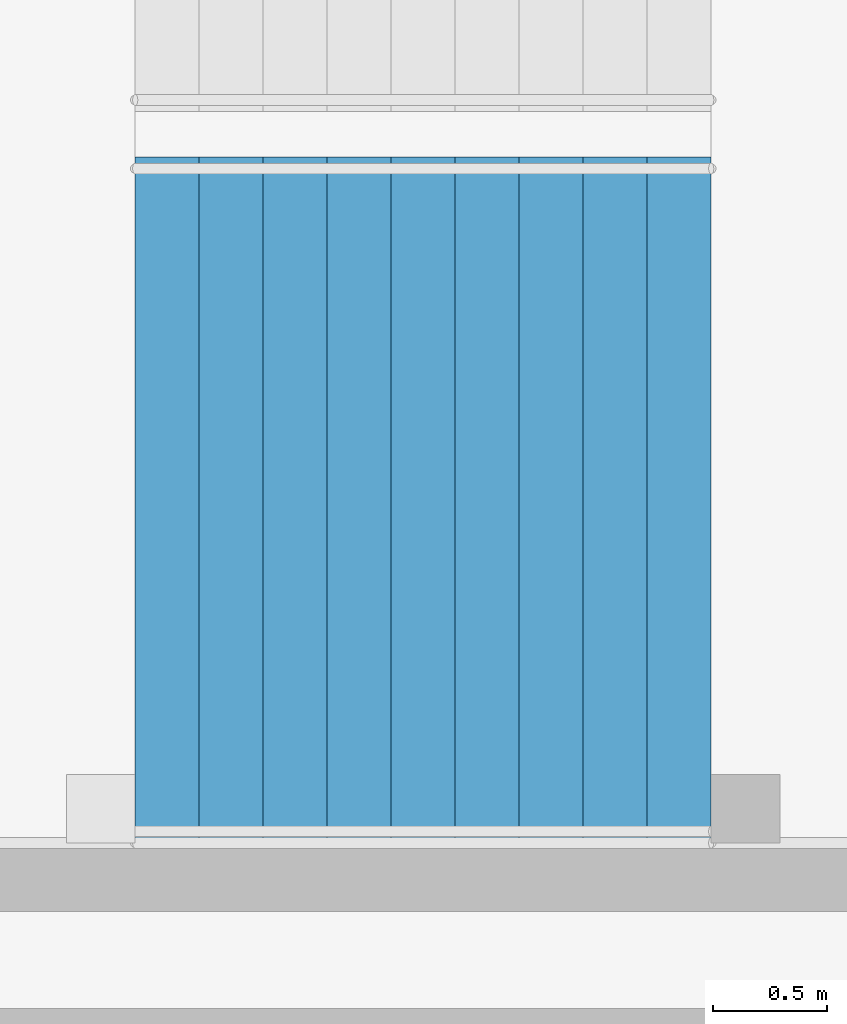
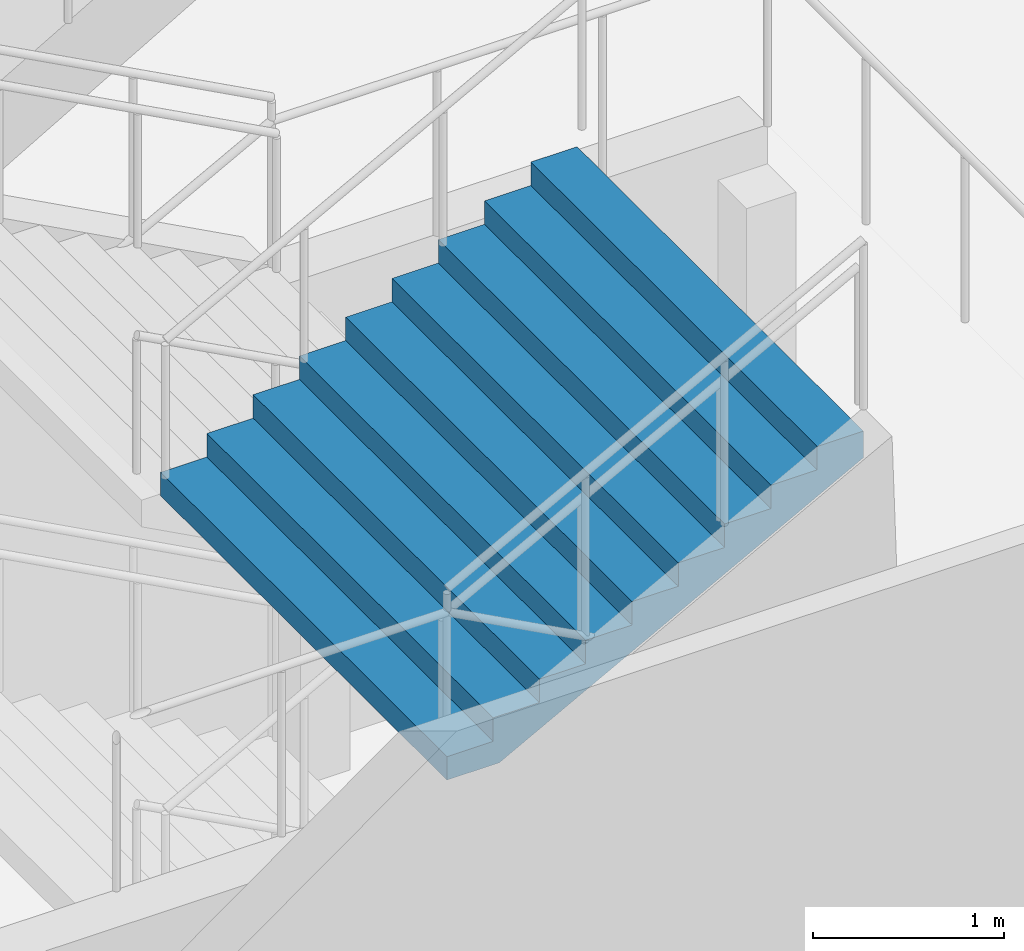
# One storey, part 81 of 100: 1 stair flight, 1 element without a shape of its own.
"""IFC4 building model written with IfcOpenShell, lengths in metres."""

from ifc_helpers import new_model, si_unit, direction, frame, origin, place, context, subcontext, project, spatial, triangles, material, type_object, element, aggregate, save


model = new_model("IFC4")

# Units and contexts
model_context = context("Model", 3, precision=1e-05, world=origin(), true_north=direction((0.0, 1.0)))
body_context = subcontext(model_context, "Body", "Model", "MODEL_VIEW")
ifc_project = project(units=[si_unit("LENGTHUNIT", "METRE"), si_unit("AREAUNIT", "SQUARE_METRE"), si_unit("VOLUMEUNIT", "CUBIC_METRE"), si_unit("PLANEANGLEUNIT", "RADIAN"), si_unit("MASSUNIT", "GRAM", prefix="KILO")], contexts=[model_context])

# Site, building, storey
site_placement = place(None, origin())
site = spatial("IfcSite", under=ifc_project, at=site_placement, CompositionType="ELEMENT")
building_placement = place(site_placement, origin())
building = spatial("IfcBuilding", under=site, at=building_placement, Name="Hakoniwa Tower and Hamabe Station Hall", CompositionType="ELEMENT")
storey_placement = place(building_placement, frame((0.0, 0.0, 9.0)))
storey = spatial("IfcBuildingStorey", under=building, at=storey_placement, Name="L02", CompositionType="ELEMENT", Elevation=9.0)

# Stair, stair flight
ifc_material_1 = material(Name="Concrete C40", Category="concrete")
stair_type = type_object("IfcStairType", Name="STAIR 3000 10X150", PredefinedType="HALF_TURN_STAIR", material=ifc_material_1)
stair_placement = place(storey_placement, origin())
stair = element("IfcStair", 1, at=stair_placement, inside=storey, type_object=stair_type, Name="Platform stair 1 L02-L03", PredefinedType="HALF_TURN_STAIR")
ifc_material_2 = material(Name="Concrete C40", Category="concrete")
stair_flight_type = type_object("IfcStairFlightType", Name="STAIR FLIGHT 3000", PredefinedType="STRAIGHT", material=ifc_material_2)
stair_flight_placement = place(storey_placement, frame((148.550048828125, -5.5, 4.5), z_axis=(0.0, 0.0, 1.0), x_axis=(1.0, 0.0, 0.0)))
stair_flight = element("IfcStairFlight", 2, at=stair_flight_placement, type_object=stair_flight_type, Name="PA1 flight 4", NumberOfRisers=10, NumberOfTreads=9, PredefinedType="STRAIGHT", RiserHeight=0.15, TreadLength=0.28, context=body_context, shape_type="Tessellation", body=[
    triangles([(0.0, 1.5, 0.0), (0.280029296875, 1.5, 0.0), (0.3173828125, 1.5, 0.0), (0.56005859375, 1.5, 0.1298828125), (0.840087890625, 1.5, 0.280029296875), (1.1201171875, 1.5, 0.429931640625), (1.39990234375, 1.5, 0.579833984375), (1.679931640625, 1.5, 0.72998046875), (1.9599609375, 1.5, 0.8798828125), (2.239990234375, 1.5, 1.030029296875), (2.52001953125, 1.5, 1.179931640625), (2.52001953125, 1.5, 1.35009765625), (2.239990234375, 1.5, 1.35009765625), (2.239990234375, 1.5, 1.199951171875), (1.9599609375, 1.5, 1.199951171875), (1.9599609375, 1.5, 1.050048828125), (1.679931640625, 1.5, 1.050048828125), (1.679931640625, 1.5, 0.89990234375), (1.39990234375, 1.5, 0.89990234375), (1.39990234375, 1.5, 0.75), (1.1201171875, 1.5, 0.75), (1.1201171875, 1.5, 0.60009765625), (0.840087890625, 1.5, 0.60009765625), (0.840087890625, 1.5, 0.449951171875), (0.56005859375, 1.5, 0.449951171875), (0.56005859375, 1.5, 0.300048828125), (0.3173828125, 1.5, 0.300048828125), (0.280029296875, 1.5, 0.300048828125), (0.280029296875, 1.5, 0.14990234375), (0.0, 1.5, 0.14990234375), (0.0, 0.06005859375, 0.0), (0.280029296875, 0.06005859375, 0.0), (0.3173828125, 0.06005859375, 0.0), (0.56005859375, 0.06005859375, 0.1298828125), (0.840087890625, 0.06005859375, 0.280029296875), (1.1201171875, 0.06005859375, 0.429931640625), (1.39990234375, 0.06005859375, 0.579833984375), (1.679931640625, 0.06005859375, 0.72998046875), (1.9599609375, 0.06005859375, 0.8798828125), (2.239990234375, 0.06005859375, 1.030029296875), (2.52001953125, 0.06005859375, 1.179931640625), (2.52001953125, 0.06005859375, 1.35009765625), (2.239990234375, 0.06005859375, 1.35009765625), (2.239990234375, 0.06005859375, 1.199951171875), (1.9599609375, 0.06005859375, 1.199951171875), (1.9599609375, 0.06005859375, 1.050048828125), (1.679931640625, 0.06005859375, 1.050048828125), (1.679931640625, 0.06005859375, 0.89990234375), (1.39990234375, 0.06005859375, 0.89990234375), (1.39990234375, 0.06005859375, 0.75), (1.1201171875, 0.06005859375, 0.75), (1.1201171875, 0.06005859375, 0.60009765625), (0.840087890625, 0.06005859375, 0.60009765625), (0.840087890625, 0.06005859375, 0.449951171875), (0.56005859375, 0.06005859375, 0.449951171875), (0.56005859375, 0.06005859375, 0.300048828125), (0.3173828125, 0.06005859375, 0.300048828125), (0.280029296875, 0.06005859375, 0.300048828125), (0.280029296875, 0.06005859375, 0.14990234375), (0.0, 0.06005859375, 0.14990234375), (0.0, 0.049072265625, 0.0), (0.280029296875, 0.049072265625, 0.0), (0.3173828125, 0.049072265625, 0.0), (0.56005859375, 0.049072265625, 0.1298828125), (0.840087890625, 0.049072265625, 0.280029296875), (1.1201171875, 0.049072265625, 0.429931640625), (1.39990234375, 0.049072265625, 0.579833984375), (1.679931640625, 0.049072265625, 0.72998046875), (1.9599609375, 0.049072265625, 0.8798828125), (2.239990234375, 0.049072265625, 1.030029296875), (2.52001953125, 0.049072265625, 1.179931640625), (2.52001953125, 0.049072265625, 1.35009765625), (2.239990234375, 0.049072265625, 1.35009765625), (2.239990234375, 0.049072265625, 1.199951171875), (1.9599609375, 0.049072265625, 1.199951171875), (1.9599609375, 0.049072265625, 1.050048828125), (1.679931640625, 0.049072265625, 1.050048828125), (1.679931640625, 0.049072265625, 0.89990234375), (1.39990234375, 0.049072265625, 0.89990234375), (1.39990234375, 0.049072265625, 0.75), (1.1201171875, 0.049072265625, 0.75), (1.1201171875, 0.049072265625, 0.60009765625), (0.840087890625, 0.049072265625, 0.60009765625), (0.840087890625, 0.049072265625, 0.449951171875), (0.56005859375, 0.049072265625, 0.449951171875), (0.56005859375, 0.049072265625, 0.300048828125), (0.3173828125, 0.049072265625, 0.300048828125), (0.280029296875, 0.049072265625, 0.300048828125), (0.280029296875, 0.049072265625, 0.14990234375), (0.0, 0.049072265625, 0.14990234375), (0.0, 0.0380859375, 0.0), (0.280029296875, 0.0380859375, 0.0), (0.3173828125, 0.0380859375, 0.0), (0.56005859375, 0.0380859375, 0.1298828125), (0.840087890625, 0.0380859375, 0.280029296875), (1.1201171875, 0.0380859375, 0.429931640625), (1.39990234375, 0.0380859375, 0.579833984375), (1.679931640625, 0.0380859375, 0.72998046875), (1.9599609375, 0.0380859375, 0.8798828125), (2.239990234375, 0.0380859375, 1.030029296875), (2.52001953125, 0.0380859375, 1.179931640625), (2.52001953125, 0.0380859375, 1.35009765625), (2.239990234375, 0.0380859375, 1.35009765625), (2.239990234375, 0.0380859375, 1.199951171875), (1.9599609375, 0.0380859375, 1.199951171875), (1.9599609375, 0.0380859375, 1.050048828125), (1.679931640625, 0.0380859375, 1.050048828125), (1.679931640625, 0.0380859375, 0.89990234375), (1.39990234375, 0.0380859375, 0.89990234375), (1.39990234375, 0.0380859375, 0.75), (1.1201171875, 0.0380859375, 0.75), (1.1201171875, 0.0380859375, 0.60009765625), (0.840087890625, 0.0380859375, 0.60009765625), (0.840087890625, 0.0380859375, 0.449951171875), (0.56005859375, 0.0380859375, 0.449951171875), (0.56005859375, 0.0380859375, 0.300048828125), (0.3173828125, 0.0380859375, 0.300048828125), (0.280029296875, 0.0380859375, 0.300048828125), (0.280029296875, 0.0380859375, 0.14990234375), (0.0, 0.0380859375, 0.14990234375), (0.0, 0.02734375, 0.0), (0.280029296875, 0.02734375, 0.0), (0.3173828125, 0.02734375, 0.0), (0.56005859375, 0.02734375, 0.1298828125), (0.840087890625, 0.02734375, 0.280029296875), (1.1201171875, 0.02734375, 0.429931640625), (1.39990234375, 0.02734375, 0.579833984375), (1.679931640625, 0.02734375, 0.72998046875), (1.9599609375, 0.02734375, 0.8798828125), (2.239990234375, 0.02734375, 1.030029296875), (2.52001953125, 0.02734375, 1.179931640625), (2.52001953125, 0.02734375, 1.35009765625), (2.239990234375, 0.02734375, 1.35009765625), (2.239990234375, 0.02734375, 1.199951171875), (1.9599609375, 0.02734375, 1.199951171875), (1.9599609375, 0.02734375, 1.050048828125), (1.679931640625, 0.02734375, 1.050048828125), (1.679931640625, 0.02734375, 0.89990234375), (1.39990234375, 0.02734375, 0.89990234375), (1.39990234375, 0.02734375, 0.75), (1.1201171875, 0.02734375, 0.75), (1.1201171875, 0.02734375, 0.60009765625), (0.840087890625, 0.02734375, 0.60009765625), (0.840087890625, 0.02734375, 0.449951171875), (0.56005859375, 0.02734375, 0.449951171875), (0.56005859375, 0.02734375, 0.300048828125), (0.3173828125, 0.02734375, 0.300048828125), (0.280029296875, 0.02734375, 0.300048828125), (0.280029296875, 0.02734375, 0.14990234375), (0.0, 0.02734375, 0.14990234375), (0.0, 0.016357421875, 0.0), (0.280029296875, 0.016357421875, 0.0), (0.3173828125, 0.016357421875, 0.0), (0.56005859375, 0.016357421875, 0.1298828125), (0.840087890625, 0.016357421875, 0.280029296875), (1.1201171875, 0.016357421875, 0.429931640625), (1.39990234375, 0.016357421875, 0.579833984375), (1.679931640625, 0.016357421875, 0.72998046875), (1.9599609375, 0.016357421875, 0.8798828125), (2.239990234375, 0.016357421875, 1.030029296875), (2.52001953125, 0.016357421875, 1.179931640625), (2.52001953125, 0.016357421875, 1.35009765625), (2.239990234375, 0.016357421875, 1.35009765625), (2.239990234375, 0.016357421875, 1.199951171875), (1.9599609375, 0.016357421875, 1.199951171875), (1.9599609375, 0.016357421875, 1.050048828125), (1.679931640625, 0.016357421875, 1.050048828125), (1.679931640625, 0.016357421875, 0.89990234375), (1.39990234375, 0.016357421875, 0.89990234375), (1.39990234375, 0.016357421875, 0.75), (1.1201171875, 0.016357421875, 0.75), (1.1201171875, 0.016357421875, 0.60009765625), (0.840087890625, 0.016357421875, 0.60009765625), (0.840087890625, 0.016357421875, 0.449951171875), (0.56005859375, 0.016357421875, 0.449951171875), (0.56005859375, 0.016357421875, 0.300048828125), (0.3173828125, 0.016357421875, 0.300048828125), (0.280029296875, 0.016357421875, 0.300048828125), (0.280029296875, 0.016357421875, 0.14990234375), (0.0, 0.016357421875, 0.14990234375), (0.0, 0.00537109375, 0.0), (0.280029296875, 0.00537109375, 0.0), (0.3173828125, 0.00537109375, 0.0), (0.56005859375, 0.00537109375, 0.1298828125), (0.840087890625, 0.00537109375, 0.280029296875), (1.1201171875, 0.00537109375, 0.429931640625), (1.39990234375, 0.00537109375, 0.579833984375), (1.679931640625, 0.00537109375, 0.72998046875), (1.9599609375, 0.00537109375, 0.8798828125), (2.239990234375, 0.00537109375, 1.030029296875), (2.52001953125, 0.00537109375, 1.179931640625), (2.52001953125, 0.00537109375, 1.35009765625), (2.239990234375, 0.00537109375, 1.35009765625), (2.239990234375, 0.00537109375, 1.199951171875), (1.9599609375, 0.00537109375, 1.199951171875), (1.9599609375, 0.00537109375, 1.050048828125), (1.679931640625, 0.00537109375, 1.050048828125), (1.679931640625, 0.00537109375, 0.89990234375), (1.39990234375, 0.00537109375, 0.89990234375), (1.39990234375, 0.00537109375, 0.75), (1.1201171875, 0.00537109375, 0.75), (1.1201171875, 0.00537109375, 0.60009765625), (0.840087890625, 0.00537109375, 0.60009765625), (0.840087890625, 0.00537109375, 0.449951171875), (0.56005859375, 0.00537109375, 0.449951171875), (0.56005859375, 0.00537109375, 0.300048828125), (0.3173828125, 0.00537109375, 0.300048828125), (0.280029296875, 0.00537109375, 0.300048828125), (0.280029296875, 0.00537109375, 0.14990234375), (0.0, 0.00537109375, 0.14990234375), (0.0, -0.00537109375, 0.0), (0.280029296875, -0.00537109375, 0.0), (0.3173828125, -0.00537109375, 0.0), (0.56005859375, -0.00537109375, 0.1298828125), (0.840087890625, -0.00537109375, 0.280029296875), (1.1201171875, -0.00537109375, 0.429931640625), (1.39990234375, -0.00537109375, 0.579833984375), (1.679931640625, -0.00537109375, 0.72998046875), (1.9599609375, -0.00537109375, 0.8798828125), (2.239990234375, -0.00537109375, 1.030029296875), (2.52001953125, -0.00537109375, 1.179931640625), (2.52001953125, -0.00537109375, 1.35009765625), (2.239990234375, -0.00537109375, 1.35009765625), (2.239990234375, -0.00537109375, 1.199951171875), (1.9599609375, -0.00537109375, 1.199951171875), (1.9599609375, -0.00537109375, 1.050048828125), (1.679931640625, -0.00537109375, 1.050048828125), (1.679931640625, -0.00537109375, 0.89990234375), (1.39990234375, -0.00537109375, 0.89990234375), (1.39990234375, -0.00537109375, 0.75), (1.1201171875, -0.00537109375, 0.75), (1.1201171875, -0.00537109375, 0.60009765625), (0.840087890625, -0.00537109375, 0.60009765625), (0.840087890625, -0.00537109375, 0.449951171875), (0.56005859375, -0.00537109375, 0.449951171875), (0.56005859375, -0.00537109375, 0.300048828125), (0.3173828125, -0.00537109375, 0.300048828125), (0.280029296875, -0.00537109375, 0.300048828125), (0.280029296875, -0.00537109375, 0.14990234375), (0.0, -0.00537109375, 0.14990234375), (0.0, -0.016357421875, 0.0), (0.280029296875, -0.016357421875, 0.0), (0.3173828125, -0.016357421875, 0.0), (0.56005859375, -0.016357421875, 0.1298828125), (0.840087890625, -0.016357421875, 0.280029296875), (1.1201171875, -0.016357421875, 0.429931640625), (1.39990234375, -0.016357421875, 0.579833984375), (1.679931640625, -0.016357421875, 0.72998046875), (1.9599609375, -0.016357421875, 0.8798828125), (2.239990234375, -0.016357421875, 1.030029296875), (2.52001953125, -0.016357421875, 1.179931640625), (2.52001953125, -0.016357421875, 1.35009765625), (2.239990234375, -0.016357421875, 1.35009765625), (2.239990234375, -0.016357421875, 1.199951171875), (1.9599609375, -0.016357421875, 1.199951171875), (1.9599609375, -0.016357421875, 1.050048828125), (1.679931640625, -0.016357421875, 1.050048828125), (1.679931640625, -0.016357421875, 0.89990234375), (1.39990234375, -0.016357421875, 0.89990234375), (1.39990234375, -0.016357421875, 0.75), (1.1201171875, -0.016357421875, 0.75), (1.1201171875, -0.016357421875, 0.60009765625), (0.840087890625, -0.016357421875, 0.60009765625), (0.840087890625, -0.016357421875, 0.449951171875), (0.56005859375, -0.016357421875, 0.449951171875), (0.56005859375, -0.016357421875, 0.300048828125), (0.3173828125, -0.016357421875, 0.300048828125), (0.280029296875, -0.016357421875, 0.300048828125), (0.280029296875, -0.016357421875, 0.14990234375), (0.0, -0.016357421875, 0.14990234375), (0.0, -0.02734375, 0.0), (0.280029296875, -0.02734375, 0.0), (0.3173828125, -0.02734375, 0.0), (0.56005859375, -0.02734375, 0.1298828125), (0.840087890625, -0.02734375, 0.280029296875), (1.1201171875, -0.02734375, 0.429931640625), (1.39990234375, -0.02734375, 0.579833984375), (1.679931640625, -0.02734375, 0.72998046875), (1.9599609375, -0.02734375, 0.8798828125), (2.239990234375, -0.02734375, 1.030029296875), (2.52001953125, -0.02734375, 1.179931640625), (2.52001953125, -0.02734375, 1.35009765625), (2.239990234375, -0.02734375, 1.35009765625), (2.239990234375, -0.02734375, 1.199951171875), (1.9599609375, -0.02734375, 1.199951171875), (1.9599609375, -0.02734375, 1.050048828125), (1.679931640625, -0.02734375, 1.050048828125), (1.679931640625, -0.02734375, 0.89990234375), (1.39990234375, -0.02734375, 0.89990234375), (1.39990234375, -0.02734375, 0.75), (1.1201171875, -0.02734375, 0.75), (1.1201171875, -0.02734375, 0.60009765625), (0.840087890625, -0.02734375, 0.60009765625), (0.840087890625, -0.02734375, 0.449951171875), (0.56005859375, -0.02734375, 0.449951171875), (0.56005859375, -0.02734375, 0.300048828125), (0.3173828125, -0.02734375, 0.300048828125), (0.280029296875, -0.02734375, 0.300048828125), (0.280029296875, -0.02734375, 0.14990234375), (0.0, -0.02734375, 0.14990234375), (0.0, -0.0380859375, 0.0), (0.280029296875, -0.0380859375, 0.0), (0.3173828125, -0.0380859375, 0.0), (0.56005859375, -0.0380859375, 0.1298828125), (0.840087890625, -0.0380859375, 0.280029296875), (1.1201171875, -0.0380859375, 0.429931640625), (1.39990234375, -0.0380859375, 0.579833984375), (1.679931640625, -0.0380859375, 0.72998046875), (1.9599609375, -0.0380859375, 0.8798828125), (2.239990234375, -0.0380859375, 1.030029296875), (2.52001953125, -0.0380859375, 1.179931640625), (2.52001953125, -0.0380859375, 1.35009765625), (2.239990234375, -0.0380859375, 1.35009765625), (2.239990234375, -0.0380859375, 1.199951171875), (1.9599609375, -0.0380859375, 1.199951171875), (1.9599609375, -0.0380859375, 1.050048828125), (1.679931640625, -0.0380859375, 1.050048828125), (1.679931640625, -0.0380859375, 0.89990234375), (1.39990234375, -0.0380859375, 0.89990234375), (1.39990234375, -0.0380859375, 0.75), (1.1201171875, -0.0380859375, 0.75), (1.1201171875, -0.0380859375, 0.60009765625), (0.840087890625, -0.0380859375, 0.60009765625), (0.840087890625, -0.0380859375, 0.449951171875), (0.56005859375, -0.0380859375, 0.449951171875), (0.56005859375, -0.0380859375, 0.300048828125), (0.3173828125, -0.0380859375, 0.300048828125), (0.280029296875, -0.0380859375, 0.300048828125), (0.280029296875, -0.0380859375, 0.14990234375), (0.0, -0.0380859375, 0.14990234375), (0.0, -0.049072265625, 0.0), (0.280029296875, -0.049072265625, 0.0), (0.3173828125, -0.049072265625, 0.0), (0.56005859375, -0.049072265625, 0.1298828125), (0.840087890625, -0.049072265625, 0.280029296875), (1.1201171875, -0.049072265625, 0.429931640625), (1.39990234375, -0.049072265625, 0.579833984375), (1.679931640625, -0.049072265625, 0.72998046875), (1.9599609375, -0.049072265625, 0.8798828125), (2.239990234375, -0.049072265625, 1.030029296875), (2.52001953125, -0.049072265625, 1.179931640625), (2.52001953125, -0.049072265625, 1.35009765625), (2.239990234375, -0.049072265625, 1.35009765625), (2.239990234375, -0.049072265625, 1.199951171875), (1.9599609375, -0.049072265625, 1.199951171875), (1.9599609375, -0.049072265625, 1.050048828125), (1.679931640625, -0.049072265625, 1.050048828125), (1.679931640625, -0.049072265625, 0.89990234375), (1.39990234375, -0.049072265625, 0.89990234375), (1.39990234375, -0.049072265625, 0.75), (1.1201171875, -0.049072265625, 0.75), (1.1201171875, -0.049072265625, 0.60009765625), (0.840087890625, -0.049072265625, 0.60009765625), (0.840087890625, -0.049072265625, 0.449951171875), (0.56005859375, -0.049072265625, 0.449951171875), (0.56005859375, -0.049072265625, 0.300048828125), (0.3173828125, -0.049072265625, 0.300048828125), (0.280029296875, -0.049072265625, 0.300048828125), (0.280029296875, -0.049072265625, 0.14990234375), (0.0, -0.049072265625, 0.14990234375), (0.0, -0.06005859375, 0.0), (0.280029296875, -0.06005859375, 0.0), (0.3173828125, -0.06005859375, 0.0), (0.56005859375, -0.06005859375, 0.1298828125), (0.840087890625, -0.06005859375, 0.280029296875), (1.1201171875, -0.06005859375, 0.429931640625), (1.39990234375, -0.06005859375, 0.579833984375), (1.679931640625, -0.06005859375, 0.72998046875), (1.9599609375, -0.06005859375, 0.8798828125), (2.239990234375, -0.06005859375, 1.030029296875), (2.52001953125, -0.06005859375, 1.179931640625), (2.52001953125, -0.06005859375, 1.35009765625), (2.239990234375, -0.06005859375, 1.35009765625), (2.239990234375, -0.06005859375, 1.199951171875), (1.9599609375, -0.06005859375, 1.199951171875), (1.9599609375, -0.06005859375, 1.050048828125), (1.679931640625, -0.06005859375, 1.050048828125), (1.679931640625, -0.06005859375, 0.89990234375), (1.39990234375, -0.06005859375, 0.89990234375), (1.39990234375, -0.06005859375, 0.75), (1.1201171875, -0.06005859375, 0.75), (1.1201171875, -0.06005859375, 0.60009765625), (0.840087890625, -0.06005859375, 0.60009765625), (0.840087890625, -0.06005859375, 0.449951171875), (0.56005859375, -0.06005859375, 0.449951171875), (0.56005859375, -0.06005859375, 0.300048828125), (0.3173828125, -0.06005859375, 0.300048828125), (0.280029296875, -0.06005859375, 0.300048828125), (0.280029296875, -0.06005859375, 0.14990234375), (0.0, -0.06005859375, 0.14990234375), (0.0, -1.5, 0.0), (0.280029296875, -1.5, 0.0), (0.3173828125, -1.5, 0.0), (0.56005859375, -1.5, 0.1298828125), (0.840087890625, -1.5, 0.280029296875), (1.1201171875, -1.5, 0.429931640625), (1.39990234375, -1.5, 0.579833984375), (1.679931640625, -1.5, 0.72998046875), (1.9599609375, -1.5, 0.8798828125), (2.239990234375, -1.5, 1.030029296875), (2.52001953125, -1.5, 1.179931640625), (2.52001953125, -1.5, 1.35009765625), (2.239990234375, -1.5, 1.35009765625), (2.239990234375, -1.5, 1.199951171875), (1.9599609375, -1.5, 1.199951171875), (1.9599609375, -1.5, 1.050048828125), (1.679931640625, -1.5, 1.050048828125), (1.679931640625, -1.5, 0.89990234375), (1.39990234375, -1.5, 0.89990234375), (1.39990234375, -1.5, 0.75), (1.1201171875, -1.5, 0.75), (1.1201171875, -1.5, 0.60009765625), (0.840087890625, -1.5, 0.60009765625), (0.840087890625, -1.5, 0.449951171875), (0.56005859375, -1.5, 0.449951171875), (0.56005859375, -1.5, 0.300048828125), (0.3173828125, -1.5, 0.300048828125), (0.280029296875, -1.5, 0.300048828125), (0.280029296875, -1.5, 0.14990234375), (0.0, -1.5, 0.14990234375)], [[2, 30, 29], [392, 419, 420], [2, 1, 30], [392, 420, 391], [3, 28, 27], [393, 417, 418], [3, 29, 28], [393, 418, 419], [3, 2, 29], [393, 419, 392], [4, 27, 26], [394, 416, 417], [4, 3, 27], [394, 417, 393], [5, 25, 24], [395, 414, 415], [5, 26, 25], [395, 415, 416], [5, 4, 26], [395, 416, 394], [6, 23, 22], [396, 412, 413], [6, 24, 23], [396, 413, 414], [6, 5, 24], [396, 414, 395], [7, 21, 20], [397, 410, 411], [7, 22, 21], [397, 411, 412], [7, 6, 22], [397, 412, 396], [8, 19, 18], [398, 408, 409], [8, 20, 19], [398, 409, 410], [8, 7, 20], [398, 410, 397], [9, 17, 16], [399, 406, 407], [9, 18, 17], [399, 407, 408], [9, 8, 18], [399, 408, 398], [10, 15, 14], [400, 404, 405], [10, 16, 15], [400, 405, 406], [10, 9, 16], [400, 406, 399], [11, 13, 12], [401, 402, 403], [11, 14, 13], [401, 403, 404], [11, 10, 14], [401, 404, 400], [1, 2, 32], [1, 32, 31], [31, 32, 62], [31, 62, 61], [61, 62, 92], [61, 92, 91], [91, 92, 122], [91, 122, 121], [121, 122, 152], [121, 152, 151], [151, 152, 182], [151, 182, 181], [181, 182, 212], [181, 212, 211], [211, 212, 242], [211, 242, 241], [241, 242, 272], [241, 272, 271], [271, 272, 302], [271, 302, 301], [301, 302, 332], [301, 332, 331], [331, 332, 362], [331, 362, 361], [361, 362, 392], [361, 392, 391], [2, 3, 33], [2, 33, 32], [32, 33, 63], [32, 63, 62], [62, 63, 93], [62, 93, 92], [92, 93, 123], [92, 123, 122], [122, 123, 153], [122, 153, 152], [152, 153, 183], [152, 183, 182], [182, 183, 213], [182, 213, 212], [212, 213, 243], [212, 243, 242], [242, 243, 273], [242, 273, 272], [272, 273, 303], [272, 303, 302], [302, 303, 333], [302, 333, 332], [332, 333, 363], [332, 363, 362], [362, 363, 393], [362, 393, 392], [3, 4, 34], [3, 34, 33], [33, 34, 64], [33, 64, 63], [63, 64, 94], [63, 94, 93], [93, 94, 124], [93, 124, 123], [123, 124, 154], [123, 154, 153], [153, 154, 184], [153, 184, 183], [183, 184, 214], [183, 214, 213], [213, 214, 244], [213, 244, 243], [243, 244, 274], [243, 274, 273], [273, 274, 304], [273, 304, 303], [303, 304, 334], [303, 334, 333], [333, 334, 364], [333, 364, 363], [363, 364, 394], [363, 394, 393], [4, 5, 35], [4, 35, 34], [34, 35, 65], [34, 65, 64], [64, 65, 95], [64, 95, 94], [94, 95, 125], [94, 125, 124], [124, 125, 155], [124, 155, 154], [154, 155, 185], [154, 185, 184], [184, 185, 215], [184, 215, 214], [214, 215, 245], [214, 245, 244], [244, 245, 275], [244, 275, 274], [274, 275, 305], [274, 305, 304], [304, 305, 335], [304, 335, 334], [334, 335, 365], [334, 365, 364], [364, 365, 395], [364, 395, 394], [5, 6, 36], [5, 36, 35], [35, 36, 66], [35, 66, 65], [65, 66, 96], [65, 96, 95], [95, 96, 126], [95, 126, 125], [125, 126, 156], [125, 156, 155], [155, 156, 186], [155, 186, 185], [185, 186, 216], [185, 216, 215], [215, 216, 246], [215, 246, 245], [245, 246, 276], [245, 276, 275], [275, 276, 306], [275, 306, 305], [305, 306, 336], [305, 336, 335], [335, 336, 366], [335, 366, 365], [365, 366, 396], [365, 396, 395], [6, 7, 37], [6, 37, 36], [36, 37, 67], [36, 67, 66], [66, 67, 97], [66, 97, 96], [96, 97, 127], [96, 127, 126], [126, 127, 157], [126, 157, 156], [156, 157, 187], [156, 187, 186], [186, 187, 217], [186, 217, 216], [216, 217, 247], [216, 247, 246], [246, 247, 277], [246, 277, 276], [276, 277, 307], [276, 307, 306], [306, 307, 337], [306, 337, 336], [336, 337, 367], [336, 367, 366], [366, 367, 397], [366, 397, 396], [7, 8, 38], [7, 38, 37], [37, 38, 68], [37, 68, 67], [67, 68, 98], [67, 98, 97], [97, 98, 128], [97, 128, 127], [127, 128, 158], [127, 158, 157], [157, 158, 188], [157, 188, 187], [187, 188, 218], [187, 218, 217], [217, 218, 248], [217, 248, 247], [247, 248, 278], [247, 278, 277], [277, 278, 308], [277, 308, 307], [307, 308, 338], [307, 338, 337], [337, 338, 368], [337, 368, 367], [367, 368, 398], [367, 398, 397], [8, 9, 39], [8, 39, 38], [38, 39, 69], [38, 69, 68], [68, 69, 99], [68, 99, 98], [98, 99, 129], [98, 129, 128], [128, 129, 159], [128, 159, 158], [158, 159, 189], [158, 189, 188], [188, 189, 219], [188, 219, 218], [218, 219, 249], [218, 249, 248], [248, 249, 279], [248, 279, 278], [278, 279, 309], [278, 309, 308], [308, 309, 339], [308, 339, 338], [338, 339, 369], [338, 369, 368], [368, 369, 399], [368, 399, 398], [9, 10, 40], [9, 40, 39], [39, 40, 70], [39, 70, 69], [69, 70, 100], [69, 100, 99], [99, 100, 130], [99, 130, 129], [129, 130, 160], [129, 160, 159], [159, 160, 190], [159, 190, 189], [189, 190, 220], [189, 220, 219], [219, 220, 250], [219, 250, 249], [249, 250, 280], [249, 280, 279], [279, 280, 310], [279, 310, 309], [309, 310, 340], [309, 340, 339], [339, 340, 370], [339, 370, 369], [369, 370, 400], [369, 400, 399], [10, 11, 41], [10, 41, 40], [40, 41, 71], [40, 71, 70], [70, 71, 101], [70, 101, 100], [100, 101, 131], [100, 131, 130], [130, 131, 161], [130, 161, 160], [160, 161, 191], [160, 191, 190], [190, 191, 221], [190, 221, 220], [220, 221, 251], [220, 251, 250], [250, 251, 281], [250, 281, 280], [280, 281, 311], [280, 311, 310], [310, 311, 341], [310, 341, 340], [340, 341, 371], [340, 371, 370], [370, 371, 401], [370, 401, 400], [11, 12, 42], [11, 42, 41], [41, 42, 72], [41, 72, 71], [71, 72, 102], [71, 102, 101], [101, 102, 132], [101, 132, 131], [131, 132, 162], [131, 162, 161], [161, 162, 192], [161, 192, 191], [191, 192, 222], [191, 222, 221], [221, 222, 252], [221, 252, 251], [251, 252, 282], [251, 282, 281], [281, 282, 312], [281, 312, 311], [311, 312, 342], [311, 342, 341], [341, 342, 372], [341, 372, 371], [371, 372, 402], [371, 402, 401], [12, 13, 43], [12, 43, 42], [42, 43, 73], [42, 73, 72], [72, 73, 103], [72, 103, 102], [102, 103, 133], [102, 133, 132], [132, 133, 163], [132, 163, 162], [162, 163, 193], [162, 193, 192], [192, 193, 223], [192, 223, 222], [222, 223, 253], [222, 253, 252], [252, 253, 283], [252, 283, 282], [282, 283, 313], [282, 313, 312], [312, 313, 343], [312, 343, 342], [342, 343, 373], [342, 373, 372], [372, 373, 403], [372, 403, 402], [13, 14, 44], [13, 44, 43], [43, 44, 74], [43, 74, 73], [73, 74, 104], [73, 104, 103], [103, 104, 134], [103, 134, 133], [133, 134, 164], [133, 164, 163], [163, 164, 194], [163, 194, 193], [193, 194, 224], [193, 224, 223], [223, 224, 254], [223, 254, 253], [253, 254, 284], [253, 284, 283], [283, 284, 314], [283, 314, 313], [313, 314, 344], [313, 344, 343], [343, 344, 374], [343, 374, 373], [373, 374, 404], [373, 404, 403], [14, 15, 45], [14, 45, 44], [44, 45, 75], [44, 75, 74], [74, 75, 105], [74, 105, 104], [104, 105, 135], [104, 135, 134], [134, 135, 165], [134, 165, 164], [164, 165, 195], [164, 195, 194], [194, 195, 225], [194, 225, 224], [224, 225, 255], [224, 255, 254], [254, 255, 285], [254, 285, 284], [284, 285, 315], [284, 315, 314], [314, 315, 345], [314, 345, 344], [344, 345, 375], [344, 375, 374], [374, 375, 405], [374, 405, 404], [15, 16, 46], [15, 46, 45], [45, 46, 76], [45, 76, 75], [75, 76, 106], [75, 106, 105], [105, 106, 136], [105, 136, 135], [135, 136, 166], [135, 166, 165], [165, 166, 196], [165, 196, 195], [195, 196, 226], [195, 226, 225], [225, 226, 256], [225, 256, 255], [255, 256, 286], [255, 286, 285], [285, 286, 316], [285, 316, 315], [315, 316, 346], [315, 346, 345], [345, 346, 376], [345, 376, 375], [375, 376, 406], [375, 406, 405], [16, 17, 47], [16, 47, 46], [46, 47, 77], [46, 77, 76], [76, 77, 107], [76, 107, 106], [106, 107, 137], [106, 137, 136], [136, 137, 167], [136, 167, 166], [166, 167, 197], [166, 197, 196], [196, 197, 227], [196, 227, 226], [226, 227, 257], [226, 257, 256], [256, 257, 287], [256, 287, 286], [286, 287, 317], [286, 317, 316], [316, 317, 347], [316, 347, 346], [346, 347, 377], [346, 377, 376], [376, 377, 407], [376, 407, 406], [17, 18, 48], [17, 48, 47], [47, 48, 78], [47, 78, 77], [77, 78, 108], [77, 108, 107], [107, 108, 138], [107, 138, 137], [137, 138, 168], [137, 168, 167], [167, 168, 198], [167, 198, 197], [197, 198, 228], [197, 228, 227], [227, 228, 258], [227, 258, 257], [257, 258, 288], [257, 288, 287], [287, 288, 318], [287, 318, 317], [317, 318, 348], [317, 348, 347], [347, 348, 378], [347, 378, 377], [377, 378, 408], [377, 408, 407], [18, 19, 49], [18, 49, 48], [48, 49, 79], [48, 79, 78], [78, 79, 109], [78, 109, 108], [108, 109, 139], [108, 139, 138], [138, 139, 169], [138, 169, 168], [168, 169, 199], [168, 199, 198], [198, 199, 229], [198, 229, 228], [228, 229, 259], [228, 259, 258], [258, 259, 289], [258, 289, 288], [288, 289, 319], [288, 319, 318], [318, 319, 349], [318, 349, 348], [348, 349, 379], [348, 379, 378], [378, 379, 409], [378, 409, 408], [19, 20, 50], [19, 50, 49], [49, 50, 80], [49, 80, 79], [79, 80, 110], [79, 110, 109], [109, 110, 140], [109, 140, 139], [139, 140, 170], [139, 170, 169], [169, 170, 200], [169, 200, 199], [199, 200, 230], [199, 230, 229], [229, 230, 260], [229, 260, 259], [259, 260, 290], [259, 290, 289], [289, 290, 320], [289, 320, 319], [319, 320, 350], [319, 350, 349], [349, 350, 380], [349, 380, 379], [379, 380, 410], [379, 410, 409], [20, 21, 51], [20, 51, 50], [50, 51, 81], [50, 81, 80], [80, 81, 111], [80, 111, 110], [110, 111, 141], [110, 141, 140], [140, 141, 171], [140, 171, 170], [170, 171, 201], [170, 201, 200], [200, 201, 231], [200, 231, 230], [230, 231, 261], [230, 261, 260], [260, 261, 291], [260, 291, 290], [290, 291, 321], [290, 321, 320], [320, 321, 351], [320, 351, 350], [350, 351, 381], [350, 381, 380], [380, 381, 411], [380, 411, 410], [21, 22, 52], [21, 52, 51], [51, 52, 82], [51, 82, 81], [81, 82, 112], [81, 112, 111], [111, 112, 142], [111, 142, 141], [141, 142, 172], [141, 172, 171], [171, 172, 202], [171, 202, 201], [201, 202, 232], [201, 232, 231], [231, 232, 262], [231, 262, 261], [261, 262, 292], [261, 292, 291], [291, 292, 322], [291, 322, 321], [321, 322, 352], [321, 352, 351], [351, 352, 382], [351, 382, 381], [381, 382, 412], [381, 412, 411], [22, 23, 53], [22, 53, 52], [52, 53, 83], [52, 83, 82], [82, 83, 113], [82, 113, 112], [112, 113, 143], [112, 143, 142], [142, 143, 173], [142, 173, 172], [172, 173, 203], [172, 203, 202], [202, 203, 233], [202, 233, 232], [232, 233, 263], [232, 263, 262], [262, 263, 293], [262, 293, 292], [292, 293, 323], [292, 323, 322], [322, 323, 353], [322, 353, 352], [352, 353, 383], [352, 383, 382], [382, 383, 413], [382, 413, 412], [23, 24, 54], [23, 54, 53], [53, 54, 84], [53, 84, 83], [83, 84, 114], [83, 114, 113], [113, 114, 144], [113, 144, 143], [143, 144, 174], [143, 174, 173], [173, 174, 204], [173, 204, 203], [203, 204, 234], [203, 234, 233], [233, 234, 264], [233, 264, 263], [263, 264, 294], [263, 294, 293], [293, 294, 324], [293, 324, 323], [323, 324, 354], [323, 354, 353], [353, 354, 384], [353, 384, 383], [383, 384, 414], [383, 414, 413], [24, 25, 55], [24, 55, 54], [54, 55, 85], [54, 85, 84], [84, 85, 115], [84, 115, 114], [114, 115, 145], [114, 145, 144], [144, 145, 175], [144, 175, 174], [174, 175, 205], [174, 205, 204], [204, 205, 235], [204, 235, 234], [234, 235, 265], [234, 265, 264], [264, 265, 295], [264, 295, 294], [294, 295, 325], [294, 325, 324], [324, 325, 355], [324, 355, 354], [354, 355, 385], [354, 385, 384], [384, 385, 415], [384, 415, 414], [25, 26, 56], [25, 56, 55], [55, 56, 86], [55, 86, 85], [85, 86, 116], [85, 116, 115], [115, 116, 146], [115, 146, 145], [145, 146, 176], [145, 176, 175], [175, 176, 206], [175, 206, 205], [205, 206, 236], [205, 236, 235], [235, 236, 266], [235, 266, 265], [265, 266, 296], [265, 296, 295], [295, 296, 326], [295, 326, 325], [325, 326, 356], [325, 356, 355], [355, 356, 386], [355, 386, 385], [385, 386, 416], [385, 416, 415], [26, 27, 57], [26, 57, 56], [56, 57, 87], [56, 87, 86], [86, 87, 117], [86, 117, 116], [116, 117, 147], [116, 147, 146], [146, 147, 177], [146, 177, 176], [176, 177, 207], [176, 207, 206], [206, 207, 237], [206, 237, 236], [236, 237, 267], [236, 267, 266], [266, 267, 297], [266, 297, 296], [296, 297, 327], [296, 327, 326], [326, 327, 357], [326, 357, 356], [356, 357, 387], [356, 387, 386], [386, 387, 417], [386, 417, 416], [27, 28, 58], [27, 58, 57], [57, 58, 88], [57, 88, 87], [87, 88, 118], [87, 118, 117], [117, 118, 148], [117, 148, 147], [147, 148, 178], [147, 178, 177], [177, 178, 208], [177, 208, 207], [207, 208, 238], [207, 238, 237], [237, 238, 268], [237, 268, 267], [267, 268, 298], [267, 298, 297], [297, 298, 328], [297, 328, 327], [327, 328, 358], [327, 358, 357], [357, 358, 388], [357, 388, 387], [387, 388, 418], [387, 418, 417], [28, 29, 59], [28, 59, 58], [58, 59, 89], [58, 89, 88], [88, 89, 119], [88, 119, 118], [118, 119, 149], [118, 149, 148], [148, 149, 179], [148, 179, 178], [178, 179, 209], [178, 209, 208], [208, 209, 239], [208, 239, 238], [238, 239, 269], [238, 269, 268], [268, 269, 299], [268, 299, 298], [298, 299, 329], [298, 329, 328], [328, 329, 359], [328, 359, 358], [358, 359, 389], [358, 389, 388], [388, 389, 419], [388, 419, 418], [29, 30, 60], [29, 60, 59], [59, 60, 90], [59, 90, 89], [89, 90, 120], [89, 120, 119], [119, 120, 150], [119, 150, 149], [149, 150, 180], [149, 180, 179], [179, 180, 210], [179, 210, 209], [209, 210, 240], [209, 240, 239], [239, 240, 270], [239, 270, 269], [269, 270, 300], [269, 300, 299], [299, 300, 330], [299, 330, 329], [329, 330, 360], [329, 360, 359], [359, 360, 390], [359, 390, 389], [389, 390, 420], [389, 420, 419], [30, 1, 31], [30, 31, 60], [60, 31, 61], [60, 61, 90], [90, 61, 91], [90, 91, 120], [120, 91, 121], [120, 121, 150], [150, 121, 151], [150, 151, 180], [180, 151, 181], [180, 181, 210], [210, 181, 211], [210, 211, 240], [240, 211, 241], [240, 241, 270], [270, 241, 271], [270, 271, 300], [300, 271, 301], [300, 301, 330], [330, 301, 331], [330, 331, 360], [360, 331, 361], [360, 361, 390], [390, 361, 391], [390, 391, 420]], closed=True),
])
aggregate(stair, [stair_flight])

save(model, "model.ifc")
